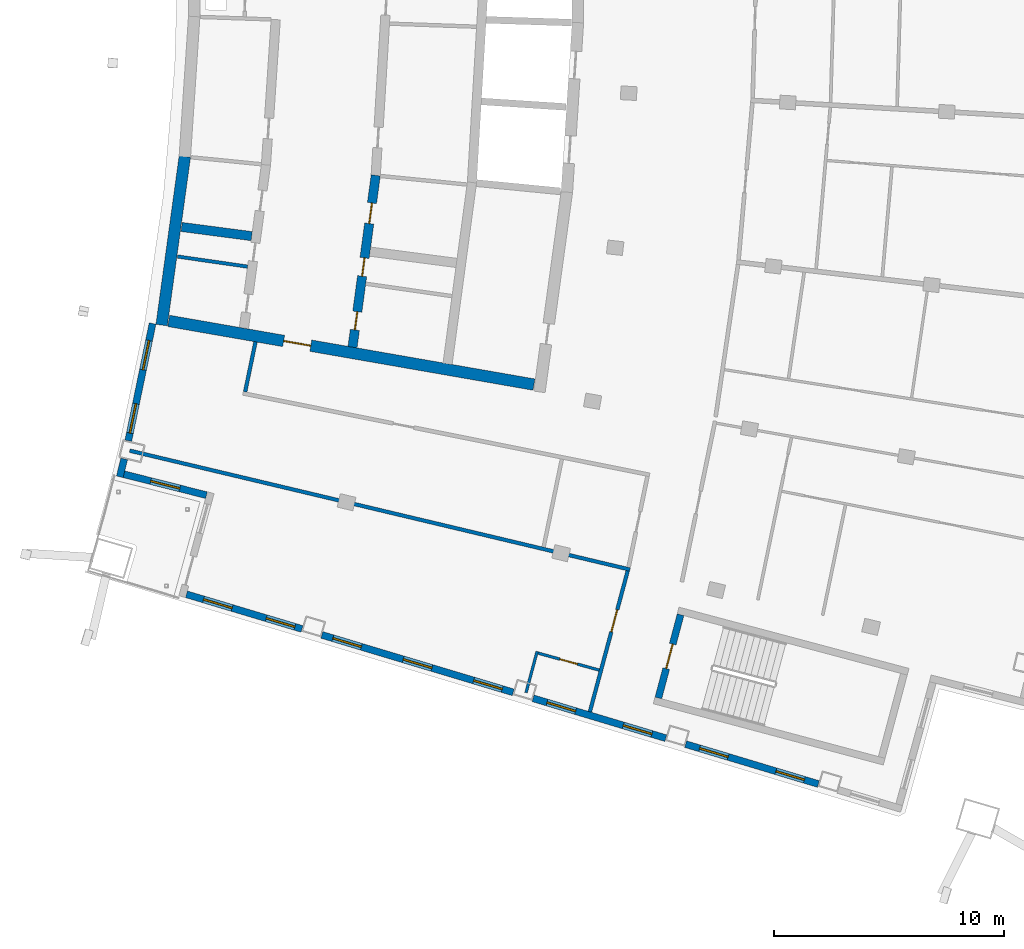
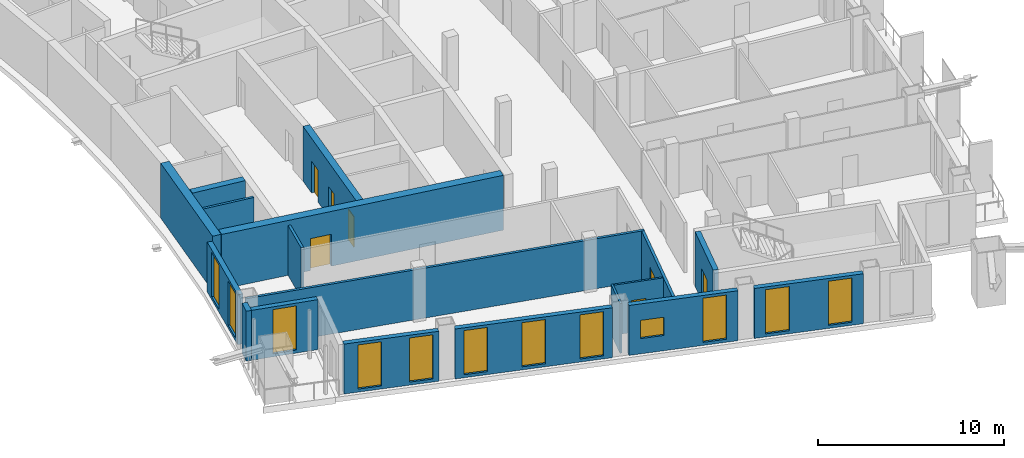
# One storey, part 7 of 20: 18 walls, 12 windows, 7 doors, 19 openings.
"""IFC4 building model written with IfcOpenShell, lengths in metres."""

from ifc_helpers import new_model, si_unit, direction, frame, frame_2d, origin, place, context, subcontext, project, spatial, rectangle, extrude, material, layer, layer_set, type_object, element, fill, save


model = new_model("IFC4")

# Units and contexts
model_context = context("Model", 3, precision=1e-05, world=origin(), true_north=direction((0.0, 1.0)))
body_context = subcontext(model_context, "Body", "Model", "MODEL_VIEW")
ifc_project = project(units=[si_unit("LENGTHUNIT", "METRE"), si_unit("AREAUNIT", "SQUARE_METRE"), si_unit("VOLUMEUNIT", "CUBIC_METRE"), si_unit("PLANEANGLEUNIT", "RADIAN"), si_unit("MASSUNIT", "GRAM", prefix="KILO")], contexts=[model_context])

# Site, building, storey
site_placement = place(None, origin())
site = spatial("IfcSite", under=ifc_project, at=site_placement, CompositionType="ELEMENT")
building_placement = place(site_placement, origin())
building = spatial("IfcBuilding", under=site, at=building_placement, Name="Alderwake Tower", CompositionType="ELEMENT")
storey_placement = place(building_placement, frame((0.0, 0.0, 263.60009765625)))
storey = spatial("IfcBuildingStorey", under=building, at=storey_placement, Name="L65", CompositionType="ELEMENT", Elevation=263.60009765625)

# Walls
ifc_material_1 = material(Name="Gypsum shaft wall system, rated")
ifc_layer_1 = layer(ifc_material_1, 0.14990234375)
ifc_layer_set_1 = layer_set([ifc_layer_1], Name="Core room partition 150")
wall_type_1 = type_object("IfcWallType", Name="Core room partition 150", PredefinedType="PARTITIONING", material=ifc_layer_set_1)
wall_1_placement = place(storey_placement, frame((15.965576171875, 47.13916015625, 0.0), z_axis=(0.0, 0.0, 1.0), x_axis=(0.989737455728, -0.142897756207, 0.0)))
element("IfcWall", 1, at=wall_1_placement, inside=storey, type_object=wall_type_1, Name="CW/L65/PR-150_+0", PredefinedType="PARTITIONING", context=body_context, shape_type="SweptSolid", body=[
    extrude(rectangle(XDim=3.07861328125, YDim=0.14990234375, at=frame_2d((1.539306640625, 0.0))), origin(), (0.0, 0.0, 1.0), 3.27978515625),
])
ifc_material_2 = material(Name="Concrete C70/85", Category="concrete")
ifc_layer_2 = layer(ifc_material_2, 0.5)
ifc_layer_set_2 = layer_set([ifc_layer_2], Name="Core wall outer 500 C70-85")
wall_type_2 = type_object("IfcWallType", Name="Core wall outer 500 C70-85", PredefinedType="SHEAR", material=ifc_layer_set_2)
wall_2_placement = place(storey_placement, frame((15.272216796875, 44.155029296875, 0.0), z_axis=(0.0, 0.0, 1.0), x_axis=(0.13632182908, 0.990664604655, 0.0)))
element("IfcWall", 2, at=wall_2_placement, inside=storey, type_object=wall_type_2, Name="Core wall CW.028", PredefinedType="SHEAR", context=body_context, shape_type="SweptSolid", body=[
    extrude(rectangle(XDim=7.408935546875, YDim=0.5, at=frame_2d((3.70458984375, 0.0))), origin(), (0.0, 0.0, 1.0), 3.599853515625),
])

# Wall, opening, door
wall_3_placement = place(storey_placement, frame((31.47802734375, 41.564453125, 0.0), z_axis=(0.0, 0.0, 1.0), x_axis=(-0.985140274783, 0.171751678306, 0.0)))
wall_3 = element("IfcWall", 3, at=wall_3_placement, inside=storey, type_object=wall_type_2, Name="Core wall CW.072", PredefinedType="SHEAR", context=body_context, shape_type="SweptSolid", body=[
    extrude(rectangle(XDim=16.137939453125, YDim=0.5, at=frame_2d((8.06884765625, 0.0))), origin(), (0.0, 0.0, 1.0), 3.599853515625),
])
opening_1_placement = place(wall_3_placement, frame((9.859619140625, 0.0, 0.0)))
opening_1 = element("IfcOpeningElement", 4, at=opening_1_placement, cuts=wall_3, Name="Opening C003", PredefinedType="OPENING", context=body_context, shape_type="SweptSolid", body=[
    extrude(rectangle(XDim=1.199951171875, YDim=2.10009765625, at=frame_2d((0.60009765625, 1.050048828125))), frame((0.0, 0.260009765625, 0.0), z_axis=(0.0, -1.0, 0.0), x_axis=(1.0, 0.0, 0.0)), (0.0, 0.0, 1.0), 0.52001953125),
])
ifc_material_3 = material(Name="Steel-framed fire door leaf", Category="steel")
door_type_1 = type_object("IfcDoorType", Name="Core lobby exit door 1200 fire-rated", OperationType="SINGLE_SWING_LEFT", PredefinedType="DOOR", material=ifc_material_3)
door_1_placement = place(opening_1_placement, origin())
door_1 = element("IfcDoor", 5, at=door_1_placement, inside=storey, type_object=door_type_1, Name="Lobby door", OperationType="SINGLE_SWING_LEFT", OverallHeight=2.10009765625, OverallWidth=1.199951171875, PredefinedType="DOOR", context=body_context, shape_type="SweptSolid", body=[
    extrude(rectangle(XDim=1.199951171875, YDim=2.10009765625, at=frame_2d((0.60009765625, 1.050048828125))), frame((0.0, 0.02490234375, 0.0), z_axis=(0.0, -1.0, 0.0), x_axis=(1.0, 0.0, 0.0)), (0.0, 0.0, 1.0), 0.050048828125),
])
fill(opening_1, door_1)

# Wall, openings, doors
ifc_material_4 = material(Name="Concrete C70/85", Category="concrete")
ifc_layer_3 = layer(ifc_material_4, 0.39990234375)
ifc_layer_set_3 = layer_set([ifc_layer_3], Name="Core wall spine 400 C70-85")
wall_type_3 = type_object("IfcWallType", Name="Core wall spine 400 C70-85", PredefinedType="SHEAR", material=ifc_layer_set_3)
wall_4_placement = place(storey_placement, frame((23.58056640625, 43.19384765625, 0.0), z_axis=(0.0, 0.0, 1.0), x_axis=(0.133962545762, 0.990986395635, 0.0)))
wall_4 = element("IfcWall", 6, at=wall_4_placement, inside=storey, type_object=wall_type_3, Name="Core wall CW.047", PredefinedType="SHEAR", context=body_context, shape_type="SweptSolid", body=[
    extrude(rectangle(XDim=7.546875, YDim=0.39990234375, at=frame_2d((3.7734375, 0.0))), origin(), (0.0, 0.0, 1.0), 3.599853515625),
])
opening_2_placement = place(wall_4_placement, frame((0.7578125, 0.0, 0.0)))
opening_2 = element("IfcOpeningElement", 7, at=opening_2_placement, cuts=wall_4, Name="Opening C015", PredefinedType="OPENING", context=body_context, shape_type="SweptSolid", body=[
    extrude(rectangle(XDim=0.800048828125, YDim=2.0, at=frame_2d((0.39990234375, 1.0))), frame((0.0, 0.2099609375, 0.0), z_axis=(0.0, -1.0, 0.0), x_axis=(1.0, 0.0, 0.0)), (0.0, 0.0, 1.0), 0.419921875),
])
opening_3_placement = place(wall_4_placement, frame((3.119384765625, 0.0, 0.0)))
opening_3 = element("IfcOpeningElement", 8, at=opening_3_placement, cuts=wall_4, Name="Opening C019", PredefinedType="OPENING", context=body_context, shape_type="SweptSolid", body=[
    extrude(rectangle(XDim=0.800048828125, YDim=2.0, at=frame_2d((0.39990234375, 1.0))), frame((0.0, 0.2099609375, 0.0), z_axis=(0.0, -1.0, 0.0), x_axis=(1.0, 0.0, 0.0)), (0.0, 0.0, 1.0), 0.419921875),
])
opening_4_placement = place(wall_4_placement, frame((5.43115234375, 0.0, 0.0)))
opening_4 = element("IfcOpeningElement", 9, at=opening_4_placement, cuts=wall_4, Name="Opening C045", PredefinedType="OPENING", context=body_context, shape_type="SweptSolid", body=[
    extrude(rectangle(XDim=0.89990234375, YDim=2.10009765625, at=frame_2d((0.449951171875, 1.050048828125))), frame((0.0, 0.2099609375, 0.0), z_axis=(0.0, -1.0, 0.0), x_axis=(1.0, 0.0, 0.0)), (0.0, 0.0, 1.0), 0.419921875),
])
ifc_material_5 = material(Name="Painted steel leaf", Category="steel")
door_type_2 = type_object("IfcDoorType", Name="Core room door 900", OperationType="SINGLE_SWING_LEFT", PredefinedType="DOOR", material=ifc_material_5)
door_2_placement = place(opening_4_placement, origin())
door_2 = element("IfcDoor", 10, at=door_2_placement, inside=storey, type_object=door_type_2, Name="Room door", OperationType="SINGLE_SWING_LEFT", OverallHeight=2.10009765625, OverallWidth=0.89990234375, PredefinedType="DOOR", context=body_context, shape_type="SweptSolid", body=[
    extrude(rectangle(XDim=0.89990234375, YDim=2.10009765625, at=frame_2d((0.449951171875, 1.050048828125))), frame((0.0, 0.02490234375, 0.0), z_axis=(0.0, -1.0, 0.0), x_axis=(1.0, 0.0, 0.0)), (0.0, 0.0, 1.0), 0.050048828125),
])
fill(opening_4, door_2)
ifc_material_6 = material(Name="Painted steel leaf, rated", Category="steel")
door_type_3 = type_object("IfcDoorType", Name="Riser access door 800", OperationType="SINGLE_SWING_LEFT", PredefinedType="DOOR", material=ifc_material_6)
door_3_placement = place(opening_2_placement, origin())
door_3 = element("IfcDoor", 11, at=door_3_placement, inside=storey, type_object=door_type_3, Name="Riser access door", OperationType="SINGLE_SWING_LEFT", OverallHeight=2.0, OverallWidth=0.800048828125, PredefinedType="DOOR", context=body_context, shape_type="SweptSolid", body=[
    extrude(rectangle(XDim=0.800048828125, YDim=2.0, at=frame_2d((0.39990234375, 1.0))), frame((0.0, 0.02490234375, 0.0), z_axis=(0.0, -1.0, 0.0), x_axis=(1.0, 0.0, 0.0)), (0.0, 0.0, 1.0), 0.050048828125),
])
fill(opening_2, door_3)
door_4_placement = place(opening_3_placement, origin())
door_4 = element("IfcDoor", 12, at=door_4_placement, inside=storey, type_object=door_type_3, Name="Riser access door", OperationType="SINGLE_SWING_RIGHT", OverallHeight=2.0, OverallWidth=0.800048828125, PredefinedType="DOOR", context=body_context, shape_type="SweptSolid", body=[
    extrude(rectangle(XDim=0.800048828125, YDim=2.0, at=frame_2d((0.39990234375, 1.0))), frame((0.0, 0.02490234375, 0.0), z_axis=(0.0, -1.0, 0.0), x_axis=(1.0, 0.0, 0.0)), (0.0, 0.0, 1.0), 0.050048828125),
])
fill(opening_3, door_4)

# Wall
wall_5_placement = place(storey_placement, frame((16.142578125, 48.42529296875, 0.0), z_axis=(0.0, 0.0, 1.0), x_axis=(0.991550757989, -0.129719290517, 0.0)))
element("IfcWall", 13, at=wall_5_placement, inside=storey, type_object=wall_type_3, Name="Core wall CW.067", PredefinedType="SHEAR", context=body_context, shape_type="SweptSolid", body=[
    extrude(rectangle(XDim=3.0751953125, YDim=0.39990234375, at=frame_2d((1.53759765625, 0.0))), origin(), (0.0, 0.0, 1.0), 3.599853515625),
])

# Wall, opening, door
ifc_material_7 = material(Name="Concrete C70/85", Category="concrete")
ifc_layer_4 = layer(ifc_material_7, 0.300048828125)
ifc_layer_set_4 = layer_set([ifc_layer_4], Name="Core wall stair enclosure 300 C70-85")
wall_type_4 = type_object("IfcWallType", Name="Core wall stair enclosure 300 C70-85", PredefinedType="SHEAR", material=ifc_layer_set_4)
wall_6_placement = place(storey_placement, frame((36.89501953125, 27.923828125, 0.0), z_axis=(0.0, 0.0, 1.0), x_axis=(0.257350630826, 0.966318090907, 0.0)))
wall_6 = element("IfcWall", 14, at=wall_6_placement, inside=storey, type_object=wall_type_4, Name="Core wall CW.087", PredefinedType="SHEAR", context=body_context, shape_type="SweptSolid", body=[
    extrude(rectangle(XDim=3.75, YDim=0.300048828125, at=frame_2d((1.875, 0.0))), origin(), (0.0, 0.0, 1.0), 3.599853515625),
])
opening_5_placement = place(wall_6_placement, frame((1.324951171875, 0.0, 0.0)))
opening_5 = element("IfcOpeningElement", 15, at=opening_5_placement, cuts=wall_6, Name="Opening C065", PredefinedType="OPENING", context=body_context, shape_type="SweptSolid", body=[
    extrude(rectangle(XDim=1.10009765625, YDim=2.10009765625, at=frame_2d((0.550048828125, 1.050048828125))), frame((0.0, 0.159912109375, 0.0), z_axis=(0.0, -1.0, 0.0), x_axis=(1.0, 0.0, 0.0)), (0.0, 0.0, 1.0), 0.320068359375),
])
ifc_material_8 = material(Name="Steel-framed fire door leaf", Category="steel")
door_type_4 = type_object("IfcDoorType", Name="Core stair door 1100 fire-rated", OperationType="SINGLE_SWING_LEFT", PredefinedType="DOOR", material=ifc_material_8)
door_5_placement = place(opening_5_placement, origin())
door_5 = element("IfcDoor", 16, at=door_5_placement, inside=storey, type_object=door_type_4, Name="Stair door", OperationType="SINGLE_SWING_RIGHT", OverallHeight=2.10009765625, OverallWidth=1.10009765625, PredefinedType="DOOR", context=body_context, shape_type="SweptSolid", body=[
    extrude(rectangle(XDim=1.10009765625, YDim=2.10009765625, at=frame_2d((0.550048828125, 1.050048828125))), frame((0.0, 0.02490234375, 0.0), z_axis=(0.0, -1.0, 0.0), x_axis=(1.0, 0.0, 0.0)), (0.0, 0.0, 1.0), 0.050048828125),
])
fill(opening_5, door_5)

# Walls
ifc_material_9 = material(Name="Gypsum board on metal studs, rated")
ifc_layer_5 = layer(ifc_material_9, 0.159912109375)
ifc_layer_set_5 = layer_set([ifc_layer_5], Name="Corridor wall 160")
wall_type_5 = type_object("IfcWallType", Name="Corridor wall 160", PredefinedType="PARTITIONING", material=ifc_layer_set_5)
wall_7_placement = place(storey_placement, frame((13.884033203125, 38.68798828125, 0.0), z_axis=(0.0, 0.0, 1.0), x_axis=(0.972893462073, -0.231253781493, 0.0)))
element("IfcWall", 17, at=wall_7_placement, inside=storey, type_object=wall_type_5, Name="WL/L65/W09", PredefinedType="PARTITIONING", context=body_context, shape_type="SweptSolid", body=[
    extrude(rectangle(XDim=22.38037109375, YDim=0.159912109375, at=frame_2d((11.190185546875, 0.0))), origin(), (0.0, 0.0, 1.0), 3.27978515625),
])
wall_8_placement = place(storey_placement, frame((19.35888671875, 43.430908203125, 0.0), z_axis=(0.0, 0.0, 1.0), x_axis=(-0.202554916658, -0.979270905183, 0.0)))
element("IfcWall", 18, at=wall_8_placement, inside=storey, type_object=wall_type_5, Name="WL/L65/W11", PredefinedType="PARTITIONING", context=body_context, shape_type="SweptSolid", body=[
    extrude(rectangle(XDim=2.229736328125, YDim=0.159912109375, at=frame_2d((1.11474609375, 0.0))), origin(), (0.0, 0.0, 1.0), 3.27978515625),
])

# Wall, opening, door
wall_9_placement = place(storey_placement, frame((33.912109375, 27.321044921875, 0.0), z_axis=(0.0, 0.0, 1.0), x_axis=(0.259370874835, 0.965777794986, 0.0)))
wall_9 = element("IfcWall", 19, at=wall_9_placement, inside=storey, type_object=wall_type_5, Name="WL/L65/W14", PredefinedType="PARTITIONING", context=body_context, shape_type="SweptSolid", body=[
    extrude(rectangle(XDim=6.349853515625, YDim=0.159912109375, at=frame_2d((3.1748046875, 0.0))), origin(), (0.0, 0.0, 1.0), 3.27978515625),
])
opening_6_placement = place(wall_9_placement, frame((3.603515625, 0.0, 0.0)))
opening_6 = element("IfcOpeningElement", 20, at=opening_6_placement, cuts=wall_9, Name="Opening R18-U08.1", PredefinedType="OPENING", context=body_context, shape_type="SweptSolid", body=[
    extrude(rectangle(XDim=1.0, YDim=2.10009765625, at=frame_2d((0.5, 1.050048828125))), frame((0.0, 0.08984375, 0.0), z_axis=(0.0, -1.0, 0.0), x_axis=(1.0, 0.0, 0.0)), (0.0, 0.0, 1.0), 0.179931640625),
])
ifc_material_10 = material(Name="Solid timber leaf in steel frame", Category="steel")
door_type_5 = type_object("IfcDoorType", Name="Flat entrance door 1000 fire-rated", OperationType="SINGLE_SWING_LEFT", PredefinedType="DOOR", material=ifc_material_10)
door_6_placement = place(opening_6_placement, origin())
door_6 = element("IfcDoor", 21, at=door_6_placement, inside=storey, type_object=door_type_5, Name="DR/L65/U08.1", OperationType="SINGLE_SWING_LEFT", OverallHeight=2.10009765625, OverallWidth=1.0, PredefinedType="DOOR", context=body_context, shape_type="SweptSolid", body=[
    extrude(rectangle(XDim=1.0, YDim=2.10009765625, at=frame_2d((0.5, 1.050048828125))), frame((0.0, 0.02490234375, 0.0), z_axis=(0.0, -1.0, 0.0), x_axis=(1.0, 0.0, 0.0)), (0.0, 0.0, 1.0), 0.050048828125),
])
fill(opening_6, door_6)

# Wall
ifc_material_11 = material(Name="Precast concrete C50/60 spandrel panel", Category="concrete")
ifc_layer_6 = layer(ifc_material_11, 0.300048828125)
ifc_layer_set_6 = layer_set([ifc_layer_6], Name="External wall EW1 Precast concrete C50/60 spandrel")
wall_type_6 = type_object("IfcWallType", Name="External wall EW1 Precast concrete C50/60 spandrel", PredefinedType="SOLIDWALL", material=ifc_layer_set_6)
wall_10_placement = place(storey_placement, frame((13.643310546875, 38.33154296875, 0.0), z_axis=(0.0, 0.0, 1.0), x_axis=(-0.238313493867, -0.971188281767, 0.0)))
element("IfcWall", 22, at=wall_10_placement, inside=storey, type_object=wall_type_6, Name="External wall 1", PredefinedType="SOLIDWALL", context=body_context, shape_type="SweptSolid", body=[
    extrude(rectangle(XDim=0.80322265625, YDim=0.300048828125, at=frame_2d((0.401611328125, 0.0))), origin(), (0.0, 0.0, 1.0), 3.27978515625),
])

# Wall, openings, windows
wall_11_placement = place(storey_placement, frame((14.878173828125, 44.223388671875, 0.0), z_axis=(0.0, 0.0, 1.0), x_axis=(-0.202760516883, -0.979228355795, 0.0)))
wall_11 = element("IfcWall", 23, at=wall_11_placement, inside=storey, type_object=wall_type_6, Name="External wall 32", PredefinedType="SOLIDWALL", context=body_context, shape_type="SweptSolid", body=[
    extrude(rectangle(XDim=5.211181640625, YDim=0.300048828125, at=frame_2d((2.60546875, 0.0))), origin(), (0.0, 0.0, 1.0), 3.27978515625),
])
opening_7_placement = place(wall_11_placement, frame((0.75634765625, 0.0, 0.199951171875)))
opening_7 = element("IfcOpeningElement", 24, at=opening_7_placement, cuts=wall_11, Name="Opening W1", PredefinedType="OPENING", context=body_context, shape_type="SweptSolid", body=[
    extrude(rectangle(XDim=1.300048828125, YDim=2.89990234375, at=frame_2d((0.64990234375, 1.449951171875))), frame((0.0, 0.159912109375, 0.0), z_axis=(0.0, -1.0, 0.0), x_axis=(1.0, 0.0, 0.0)), (0.0, 0.0, 1.0), 0.320068359375),
])
opening_8_placement = place(wall_11_placement, frame((3.569091796875, 0.0, 0.199951171875)))
opening_8 = element("IfcOpeningElement", 25, at=opening_8_placement, cuts=wall_11, Name="Opening W1", PredefinedType="OPENING", context=body_context, shape_type="SweptSolid", body=[
    extrude(rectangle(XDim=1.300048828125, YDim=2.89990234375, at=frame_2d((0.64990234375, 1.449951171875))), frame((0.0, 0.159912109375, 0.0), z_axis=(0.0, -1.0, 0.0), x_axis=(1.0, 0.0, 0.0)), (0.0, 0.0, 1.0), 0.320068359375),
])
ifc_material_12 = material(Name="Bronze tinted glass in aluminium frame", Category="aluminium")
window_type_1 = type_object("IfcWindowType", Name="Window W1 tall fixed and vent", PartitioningType="DOUBLE_PANEL_VERTICAL", PredefinedType="WINDOW", material=ifc_material_12)
window_1_placement = place(opening_7_placement, origin())
window_1 = element("IfcWindow", 26, at=window_1_placement, inside=storey, type_object=window_type_1, Name="Window W1 tall fixed and vent", OverallHeight=2.89990234375, OverallWidth=1.300048828125, PartitioningType="DOUBLE_PANEL_VERTICAL", PredefinedType="WINDOW", context=body_context, shape_type="SweptSolid", body=[
    extrude(rectangle(XDim=1.300048828125, YDim=2.89990234375, at=frame_2d((0.64990234375, 1.449951171875))), frame((0.0, 0.030029296875, 0.0), z_axis=(0.0, -1.0, 0.0), x_axis=(1.0, 0.0, 0.0)), (0.0, 0.0, 1.0), 0.06005859375),
])
fill(opening_7, window_1)
window_2_placement = place(opening_8_placement, origin())
window_2 = element("IfcWindow", 27, at=window_2_placement, inside=storey, type_object=window_type_1, Name="Window W1 tall fixed and vent", OverallHeight=2.89990234375, OverallWidth=1.300048828125, PartitioningType="DOUBLE_PANEL_VERTICAL", PredefinedType="WINDOW", context=body_context, shape_type="SweptSolid", body=[
    extrude(rectangle(XDim=1.300048828125, YDim=2.89990234375, at=frame_2d((0.64990234375, 1.449951171875))), frame((0.0, 0.030029296875, 0.0), z_axis=(0.0, -1.0, 0.0), x_axis=(1.0, 0.0, 0.0)), (0.0, 0.0, 1.0), 0.06005859375),
])
fill(opening_8, window_2)

# Wall, opening, window
ifc_material_13 = material(Name="Bronze metal cladding on lightweight framing")
ifc_layer_7 = layer(ifc_material_13, 0.300048828125)
ifc_layer_set_7 = layer_set([ifc_layer_7], Name="External wall EW2 bronze metal cladding")
wall_type_7 = type_object("IfcWallType", Name="External wall EW2 bronze metal cladding", PredefinedType="SOLIDWALL", material=ifc_layer_set_7)
wall_12_placement = place(storey_placement, frame((13.633056640625, 37.660400390625, 0.0), z_axis=(0.0, 0.0, 1.0), x_axis=(0.969417366605, -0.245417948254, 0.0)))
wall_12 = element("IfcWall", 28, at=wall_12_placement, inside=storey, type_object=wall_type_7, Name="External wall 2", PredefinedType="SOLIDWALL", context=body_context, shape_type="SweptSolid", body=[
    extrude(rectangle(XDim=3.70556640625, YDim=0.300048828125, at=frame_2d((1.852783203125, 0.0))), origin(), (0.0, 0.0, 1.0), 3.27978515625),
])
opening_9_placement = place(wall_12_placement, frame((1.202880859375, 0.0, 0.199951171875)))
opening_9 = element("IfcOpeningElement", 29, at=opening_9_placement, cuts=wall_12, Name="Opening W1", PredefinedType="OPENING", context=body_context, shape_type="SweptSolid", body=[
    extrude(rectangle(XDim=1.300048828125, YDim=2.89990234375, at=frame_2d((0.64990234375, 1.449951171875))), frame((0.0, 0.159912109375, 0.0), z_axis=(0.0, -1.0, 0.0), x_axis=(1.0, 0.0, 0.0)), (0.0, 0.0, 1.0), 0.320068359375),
])
window_3_placement = place(opening_9_placement, origin())
window_3 = element("IfcWindow", 30, at=window_3_placement, inside=storey, type_object=window_type_1, Name="Window W1 tall fixed and vent", OverallHeight=2.89990234375, OverallWidth=1.300048828125, PartitioningType="DOUBLE_PANEL_VERTICAL", PredefinedType="WINDOW", context=body_context, shape_type="SweptSolid", body=[
    extrude(rectangle(XDim=1.300048828125, YDim=2.89990234375, at=frame_2d((0.64990234375, 1.449951171875))), frame((0.0, 0.030029296875, 0.0), z_axis=(0.0, -1.0, 0.0), x_axis=(1.0, 0.0, 0.0)), (0.0, 0.0, 1.0), 0.06005859375),
])
fill(opening_9, window_3)

# Wall, openings, windows
wall_13_placement = place(storey_placement, frame((16.352783203125, 32.4375, 0.0), z_axis=(0.0, 0.0, 1.0), x_axis=(0.957768668152, -0.287539872551, 0.0)))
wall_13 = element("IfcWall", 31, at=wall_13_placement, inside=storey, type_object=wall_type_7, Name="External wall 4", PredefinedType="SOLIDWALL", context=body_context, shape_type="SweptSolid", body=[
    extrude(rectangle(XDim=5.249755859375, YDim=0.300048828125, at=frame_2d((2.625, 0.0))), origin(), (0.0, 0.0, 1.0), 3.27978515625),
])
opening_10_placement = place(wall_13_placement, frame((0.775390625, 0.0, 0.199951171875)))
opening_10 = element("IfcOpeningElement", 32, at=opening_10_placement, cuts=wall_13, Name="Opening W1", PredefinedType="OPENING", context=body_context, shape_type="SweptSolid", body=[
    extrude(rectangle(XDim=1.300048828125, YDim=2.89990234375, at=frame_2d((0.64990234375, 1.449951171875))), frame((0.0, 0.159912109375, 0.0), z_axis=(0.0, -1.0, 0.0), x_axis=(1.0, 0.0, 0.0)), (0.0, 0.0, 1.0), 0.320068359375),
])
opening_11_placement = place(wall_13_placement, frame((3.626220703125, 0.0, 0.199951171875)))
opening_11 = element("IfcOpeningElement", 33, at=opening_11_placement, cuts=wall_13, Name="Opening W1", PredefinedType="OPENING", context=body_context, shape_type="SweptSolid", body=[
    extrude(rectangle(XDim=1.300048828125, YDim=2.89990234375, at=frame_2d((0.64990234375, 1.449951171875))), frame((0.0, 0.159912109375, 0.0), z_axis=(0.0, -1.0, 0.0), x_axis=(1.0, 0.0, 0.0)), (0.0, 0.0, 1.0), 0.320068359375),
])
window_4_placement = place(opening_10_placement, origin())
window_4 = element("IfcWindow", 34, at=window_4_placement, inside=storey, type_object=window_type_1, Name="Window W1 tall fixed and vent", OverallHeight=2.89990234375, OverallWidth=1.300048828125, PartitioningType="DOUBLE_PANEL_VERTICAL", PredefinedType="WINDOW", context=body_context, shape_type="SweptSolid", body=[
    extrude(rectangle(XDim=1.300048828125, YDim=2.89990234375, at=frame_2d((0.64990234375, 1.449951171875))), frame((0.0, 0.030029296875, 0.0), z_axis=(0.0, -1.0, 0.0), x_axis=(1.0, 0.0, 0.0)), (0.0, 0.0, 1.0), 0.06005859375),
])
fill(opening_10, window_4)
window_5_placement = place(opening_11_placement, origin())
window_5 = element("IfcWindow", 35, at=window_5_placement, inside=storey, type_object=window_type_1, Name="Window W1 tall fixed and vent", OverallHeight=2.89990234375, OverallWidth=1.300048828125, PartitioningType="DOUBLE_PANEL_VERTICAL", PredefinedType="WINDOW", context=body_context, shape_type="SweptSolid", body=[
    extrude(rectangle(XDim=1.300048828125, YDim=2.89990234375, at=frame_2d((0.64990234375, 1.449951171875))), frame((0.0, 0.030029296875, 0.0), z_axis=(0.0, -1.0, 0.0), x_axis=(1.0, 0.0, 0.0)), (0.0, 0.0, 1.0), 0.06005859375),
])
fill(opening_11, window_5)

wall_14_placement = place(storey_placement, frame((22.24658203125, 30.668212890625, 0.0), z_axis=(0.0, 0.0, 1.0), x_axis=(0.957762902908, -0.287559075345, 0.0)))
wall_14 = element("IfcWall", 36, at=wall_14_placement, inside=storey, type_object=wall_type_7, Name="External wall 5", PredefinedType="SOLIDWALL", context=body_context, shape_type="SweptSolid", body=[
    extrude(rectangle(XDim=8.696533203125, YDim=0.300048828125, at=frame_2d((4.34814453125, 0.0))), origin(), (0.0, 0.0, 1.0), 3.27978515625),
])
opening_12_placement = place(wall_14_placement, frame((0.498046875, 0.0, 0.199951171875)))
opening_12 = element("IfcOpeningElement", 37, at=opening_12_placement, cuts=wall_14, Name="Opening W1", PredefinedType="OPENING", context=body_context, shape_type="SweptSolid", body=[
    extrude(rectangle(XDim=1.300048828125, YDim=2.89990234375, at=frame_2d((0.64990234375, 1.449951171875))), frame((0.0, 0.159912109375, 0.0), z_axis=(0.0, -1.0, 0.0), x_axis=(1.0, 0.0, 0.0)), (0.0, 0.0, 1.0), 0.320068359375),
])
opening_13_placement = place(wall_14_placement, frame((3.697998046875, 0.0, 0.199951171875)))
opening_13 = element("IfcOpeningElement", 38, at=opening_13_placement, cuts=wall_14, Name="Opening W1", PredefinedType="OPENING", context=body_context, shape_type="SweptSolid", body=[
    extrude(rectangle(XDim=1.300048828125, YDim=2.89990234375, at=frame_2d((0.64990234375, 1.449951171875))), frame((0.0, 0.159912109375, 0.0), z_axis=(0.0, -1.0, 0.0), x_axis=(1.0, 0.0, 0.0)), (0.0, 0.0, 1.0), 0.320068359375),
])
opening_14_placement = place(wall_14_placement, frame((6.898193359375, 0.0, 0.199951171875)))
opening_14 = element("IfcOpeningElement", 39, at=opening_14_placement, cuts=wall_14, Name="Opening W1", PredefinedType="OPENING", context=body_context, shape_type="SweptSolid", body=[
    extrude(rectangle(XDim=1.300048828125, YDim=2.89990234375, at=frame_2d((0.64990234375, 1.449951171875))), frame((0.0, 0.159912109375, 0.0), z_axis=(0.0, -1.0, 0.0), x_axis=(1.0, 0.0, 0.0)), (0.0, 0.0, 1.0), 0.320068359375),
])
window_6_placement = place(opening_12_placement, origin())
window_6 = element("IfcWindow", 40, at=window_6_placement, inside=storey, type_object=window_type_1, Name="Window W1 tall fixed and vent", OverallHeight=2.89990234375, OverallWidth=1.300048828125, PartitioningType="DOUBLE_PANEL_VERTICAL", PredefinedType="WINDOW", context=body_context, shape_type="SweptSolid", body=[
    extrude(rectangle(XDim=1.300048828125, YDim=2.89990234375, at=frame_2d((0.64990234375, 1.449951171875))), frame((0.0, 0.030029296875, 0.0), z_axis=(0.0, -1.0, 0.0), x_axis=(1.0, 0.0, 0.0)), (0.0, 0.0, 1.0), 0.06005859375),
])
fill(opening_12, window_6)
window_7_placement = place(opening_13_placement, origin())
window_7 = element("IfcWindow", 41, at=window_7_placement, inside=storey, type_object=window_type_1, Name="Window W1 tall fixed and vent", OverallHeight=2.89990234375, OverallWidth=1.300048828125, PartitioningType="DOUBLE_PANEL_VERTICAL", PredefinedType="WINDOW", context=body_context, shape_type="SweptSolid", body=[
    extrude(rectangle(XDim=1.300048828125, YDim=2.89990234375, at=frame_2d((0.64990234375, 1.449951171875))), frame((0.0, 0.030029296875, 0.0), z_axis=(0.0, -1.0, 0.0), x_axis=(1.0, 0.0, 0.0)), (0.0, 0.0, 1.0), 0.06005859375),
])
fill(opening_13, window_7)
window_8_placement = place(opening_14_placement, origin())
window_8 = element("IfcWindow", 42, at=window_8_placement, inside=storey, type_object=window_type_1, Name="Window W1 tall fixed and vent", OverallHeight=2.89990234375, OverallWidth=1.300048828125, PartitioningType="DOUBLE_PANEL_VERTICAL", PredefinedType="WINDOW", context=body_context, shape_type="SweptSolid", body=[
    extrude(rectangle(XDim=1.300048828125, YDim=2.89990234375, at=frame_2d((0.64990234375, 1.449951171875))), frame((0.0, 0.030029296875, 0.0), z_axis=(0.0, -1.0, 0.0), x_axis=(1.0, 0.0, 0.0)), (0.0, 0.0, 1.0), 0.06005859375),
])
fill(opening_14, window_8)

wall_15_placement = place(storey_placement, frame((31.441162109375, 27.90771484375, 0.0), z_axis=(0.0, 0.0, 1.0), x_axis=(0.957753821359, -0.287589321205, 0.0)))
wall_15 = element("IfcWall", 43, at=wall_15_placement, inside=storey, type_object=wall_type_7, Name="External wall 6", PredefinedType="SOLIDWALL", context=body_context, shape_type="SweptSolid", body=[
    extrude(rectangle(XDim=6.02978515625, YDim=0.300048828125, at=frame_2d((3.014892578125, 0.0))), origin(), (0.0, 0.0, 1.0), 3.27978515625),
])
opening_15_placement = place(wall_15_placement, frame((0.631591796875, 0.0, 1.0)))
opening_15 = element("IfcOpeningElement", 44, at=opening_15_placement, cuts=wall_15, Name="Opening W2", PredefinedType="OPENING", context=body_context, shape_type="SweptSolid", body=[
    extrude(rectangle(XDim=1.300048828125, YDim=1.199951171875, at=frame_2d((0.64990234375, 0.60009765625))), frame((0.0, 0.159912109375, 0.0), z_axis=(0.0, -1.0, 0.0), x_axis=(1.0, 0.0, 0.0)), (0.0, 0.0, 1.0), 0.320068359375),
])
opening_16_placement = place(wall_15_placement, frame((4.09814453125, 0.0, 0.199951171875)))
opening_16 = element("IfcOpeningElement", 45, at=opening_16_placement, cuts=wall_15, Name="Opening W1", PredefinedType="OPENING", context=body_context, shape_type="SweptSolid", body=[
    extrude(rectangle(XDim=1.300048828125, YDim=2.89990234375, at=frame_2d((0.64990234375, 1.449951171875))), frame((0.0, 0.159912109375, 0.0), z_axis=(0.0, -1.0, 0.0), x_axis=(1.0, 0.0, 0.0)), (0.0, 0.0, 1.0), 0.320068359375),
])
window_9_placement = place(opening_16_placement, origin())
window_9 = element("IfcWindow", 46, at=window_9_placement, inside=storey, type_object=window_type_1, Name="Window W1 tall fixed and vent", OverallHeight=2.89990234375, OverallWidth=1.300048828125, PartitioningType="DOUBLE_PANEL_VERTICAL", PredefinedType="WINDOW", context=body_context, shape_type="SweptSolid", body=[
    extrude(rectangle(XDim=1.300048828125, YDim=2.89990234375, at=frame_2d((0.64990234375, 1.449951171875))), frame((0.0, 0.030029296875, 0.0), z_axis=(0.0, -1.0, 0.0), x_axis=(1.0, 0.0, 0.0)), (0.0, 0.0, 1.0), 0.06005859375),
])
fill(opening_16, window_9)
ifc_material_14 = material(Name="Bronze tinted glass in aluminium frame", Category="aluminium")
window_type_2 = type_object("IfcWindowType", Name="Window W2 kitchen and bath", PartitioningType="SINGLE_PANEL", PredefinedType="WINDOW", material=ifc_material_14)
window_10_placement = place(opening_15_placement, origin())
window_10 = element("IfcWindow", 47, at=window_10_placement, inside=storey, type_object=window_type_2, Name="Window W2 kitchen and bath", OverallHeight=1.199951171875, OverallWidth=1.300048828125, PartitioningType="SINGLE_PANEL", PredefinedType="WINDOW", context=body_context, shape_type="SweptSolid", body=[
    extrude(rectangle(XDim=1.300048828125, YDim=1.199951171875, at=frame_2d((0.64990234375, 0.60009765625))), frame((0.0, 0.030029296875, 0.0), z_axis=(0.0, -1.0, 0.0), x_axis=(1.0, 0.0, 0.0)), (0.0, 0.0, 1.0), 0.06005859375),
])
fill(opening_15, window_10)

wall_16_placement = place(storey_placement, frame((38.08154296875, 25.913818359375, 0.0), z_axis=(0.0, 0.0, 1.0), x_axis=(0.957771667866, -0.287529880593, 0.0)))
wall_16 = element("IfcWall", 48, at=wall_16_placement, inside=storey, type_object=wall_type_7, Name="External wall 7", PredefinedType="SOLIDWALL", context=body_context, shape_type="SweptSolid", body=[
    extrude(rectangle(XDim=6.0302734375, YDim=0.300048828125, at=frame_2d((3.01513671875, 0.0))), origin(), (0.0, 0.0, 1.0), 3.27978515625),
])
opening_17_placement = place(wall_16_placement, frame((0.631591796875, 0.0, 0.199951171875)))
opening_17 = element("IfcOpeningElement", 49, at=opening_17_placement, cuts=wall_16, Name="Opening W1", PredefinedType="OPENING", context=body_context, shape_type="SweptSolid", body=[
    extrude(rectangle(XDim=1.300048828125, YDim=2.89990234375, at=frame_2d((0.64990234375, 1.449951171875))), frame((0.0, 0.159912109375, 0.0), z_axis=(0.0, -1.0, 0.0), x_axis=(1.0, 0.0, 0.0)), (0.0, 0.0, 1.0), 0.320068359375),
])
opening_18_placement = place(wall_16_placement, frame((4.098388671875, 0.0, 0.199951171875)))
opening_18 = element("IfcOpeningElement", 50, at=opening_18_placement, cuts=wall_16, Name="Opening W1", PredefinedType="OPENING", context=body_context, shape_type="SweptSolid", body=[
    extrude(rectangle(XDim=1.300048828125, YDim=2.89990234375, at=frame_2d((0.64990234375, 1.449951171875))), frame((0.0, 0.159912109375, 0.0), z_axis=(0.0, -1.0, 0.0), x_axis=(1.0, 0.0, 0.0)), (0.0, 0.0, 1.0), 0.320068359375),
])
window_11_placement = place(opening_17_placement, origin())
window_11 = element("IfcWindow", 51, at=window_11_placement, inside=storey, type_object=window_type_1, Name="Window W1 tall fixed and vent", OverallHeight=2.89990234375, OverallWidth=1.300048828125, PartitioningType="DOUBLE_PANEL_VERTICAL", PredefinedType="WINDOW", context=body_context, shape_type="SweptSolid", body=[
    extrude(rectangle(XDim=1.300048828125, YDim=2.89990234375, at=frame_2d((0.64990234375, 1.449951171875))), frame((0.0, 0.030029296875, 0.0), z_axis=(0.0, -1.0, 0.0), x_axis=(1.0, 0.0, 0.0)), (0.0, 0.0, 1.0), 0.06005859375),
])
fill(opening_17, window_11)
window_12_placement = place(opening_18_placement, origin())
window_12 = element("IfcWindow", 52, at=window_12_placement, inside=storey, type_object=window_type_1, Name="Window W1 tall fixed and vent", OverallHeight=2.89990234375, OverallWidth=1.300048828125, PartitioningType="DOUBLE_PANEL_VERTICAL", PredefinedType="WINDOW", context=body_context, shape_type="SweptSolid", body=[
    extrude(rectangle(XDim=1.300048828125, YDim=2.89990234375, at=frame_2d((0.64990234375, 1.449951171875))), frame((0.0, 0.030029296875, 0.0), z_axis=(0.0, -1.0, 0.0), x_axis=(1.0, 0.0, 0.0)), (0.0, 0.0, 1.0), 0.06005859375),
])
fill(opening_18, window_12)

# Wall
ifc_material_15 = material(Name="Moisture resistant gypsum board on metal studs")
ifc_layer_8 = layer(ifc_material_15, 0.1201171875)
ifc_layer_set_8 = layer_set([ifc_layer_8], Name="Wet room partition 120")
wall_type_8 = type_object("IfcWallType", Name="Wet room partition 120", PredefinedType="PARTITIONING", material=ifc_layer_set_8)
wall_17_placement = place(storey_placement, frame((31.61767578125, 29.949951171875, 0.0), z_axis=(0.0, 0.0, 1.0), x_axis=(-0.260171283127, -0.965562480338, 0.0)))
element("IfcWall", 53, at=wall_17_placement, inside=storey, type_object=wall_type_8, Name="WL/L65/W30", PredefinedType="PARTITIONING", context=body_context, shape_type="SweptSolid", body=[
    extrude(rectangle(XDim=1.85888671875, YDim=0.1201171875, at=frame_2d((0.929443359375, 0.0))), origin(), (0.0, 0.0, 1.0), 3.27978515625),
])

# Wall, opening, door
wall_18_placement = place(storey_placement, frame((34.31787109375, 29.136474609375, 0.0), z_axis=(0.0, 0.0, 1.0), x_axis=(-0.963407530319, 0.268040912036, 0.0)))
wall_18 = element("IfcWall", 54, at=wall_18_placement, inside=storey, type_object=wall_type_8, Name="WL/L65/W31", PredefinedType="PARTITIONING", context=body_context, shape_type="SweptSolid", body=[
    extrude(rectangle(XDim=2.759033203125, YDim=0.1201171875, at=frame_2d((1.37939453125, 0.0))), origin(), (0.0, 0.0, 1.0), 3.27978515625),
])
opening_19_placement = place(wall_18_placement, frame((0.9794921875, 0.0, 0.0)))
opening_19 = element("IfcOpeningElement", 55, at=opening_19_placement, cuts=wall_18, Name="Opening R18-U08.2", PredefinedType="OPENING", context=body_context, shape_type="SweptSolid", body=[
    extrude(rectangle(XDim=0.800048828125, YDim=2.10009765625, at=frame_2d((0.39990234375, 1.050048828125))), frame((0.0, 0.070068359375, 0.0), z_axis=(0.0, -1.0, 0.0), x_axis=(1.0, 0.0, 0.0)), (0.0, 0.0, 1.0), 0.14013671875),
])
ifc_material_16 = material(Name="Painted timber leaf", Category="wood")
door_type_6 = type_object("IfcDoorType", Name="Bathroom door 800", OperationType="SINGLE_SWING_LEFT", PredefinedType="DOOR", material=ifc_material_16)
door_7_placement = place(opening_19_placement, origin())
door_7 = element("IfcDoor", 56, at=door_7_placement, inside=storey, type_object=door_type_6, Name="DR/L65/U08.2", OperationType="SINGLE_SWING_LEFT", OverallHeight=2.10009765625, OverallWidth=0.800048828125, PredefinedType="DOOR", context=body_context, shape_type="SweptSolid", body=[
    extrude(rectangle(XDim=0.800048828125, YDim=2.10009765625, at=frame_2d((0.39990234375, 1.050048828125))), frame((0.0, 0.02490234375, 0.0), z_axis=(0.0, -1.0, 0.0), x_axis=(1.0, 0.0, 0.0)), (0.0, 0.0, 1.0), 0.050048828125),
])
fill(opening_19, door_7)

save(model, "model.ifc")
